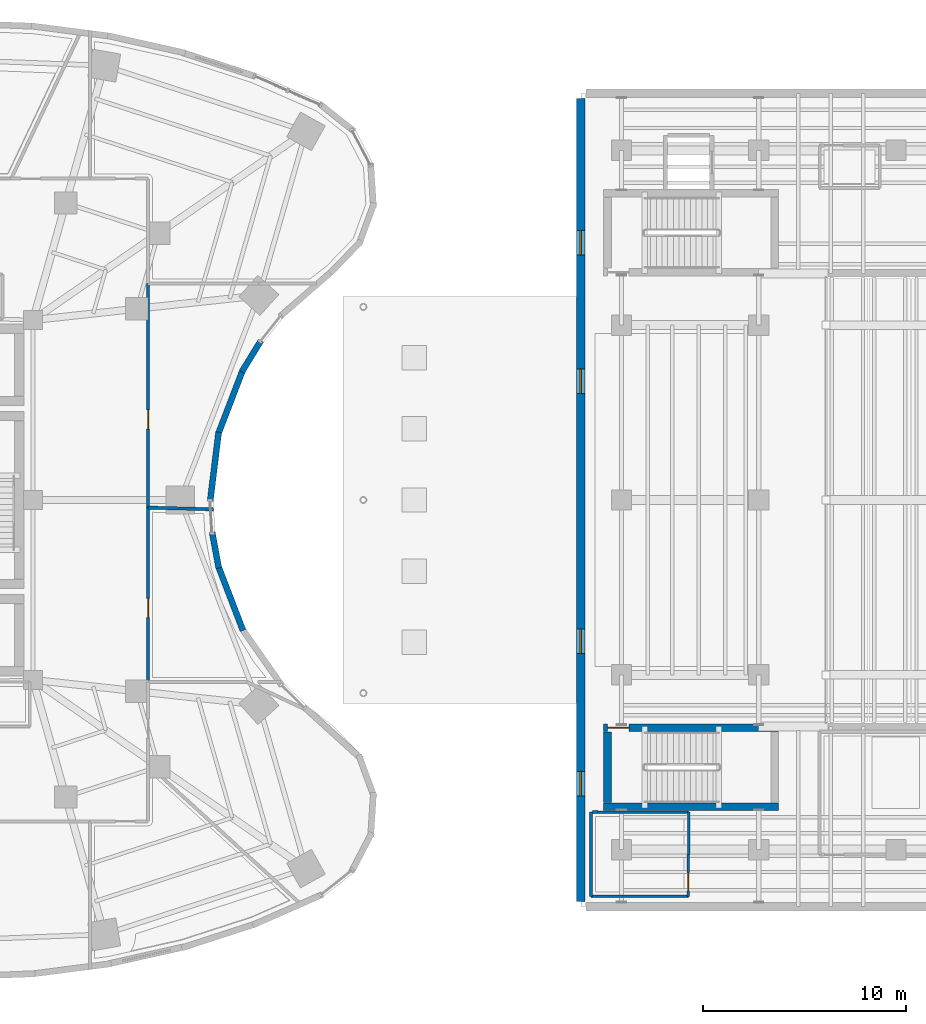
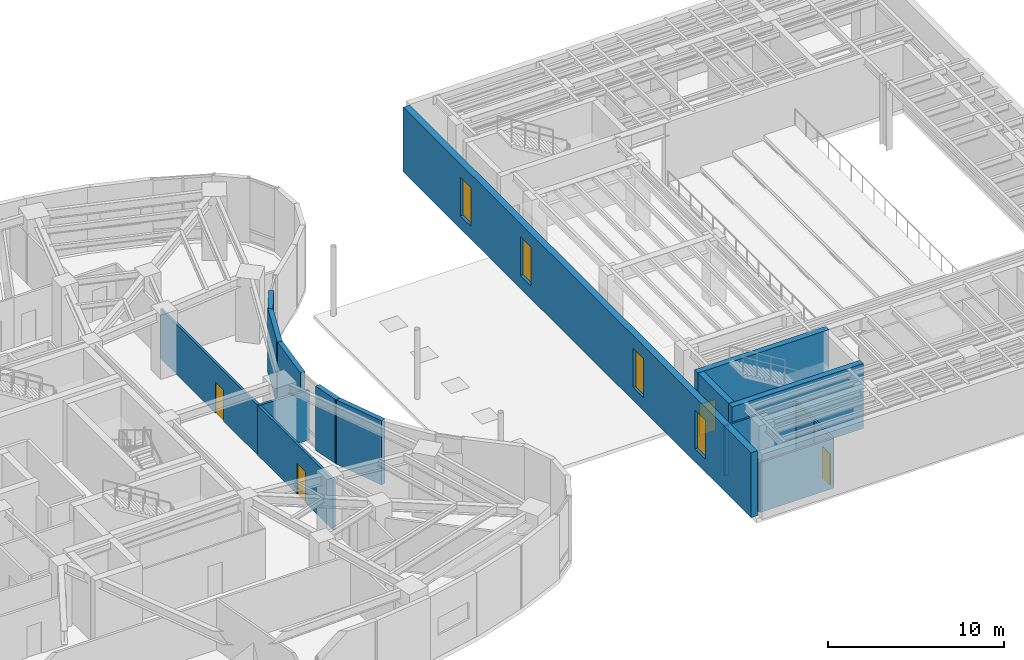
# One storey, part 17 of 24: 18 walls, 4 doors, 4 windows, 8 openings.
"""IFC4 building model written with IfcOpenShell, lengths in metres."""

import ifcopenshell
import ifcopenshell.guid

model = None  # the IFC model being written
_history = None  # IfcOwnerHistory: only IFC2X3 demands one
_inside = {}  # id of a spatial element -> (the spatial element, [elements in it])
_under = {}  # id of a project, library or spatial element -> (it, [spatial elements below it])
_declared = {}  # id of a project -> (the project, [libraries it declares])
_typed = {}  # id of a type object -> (the type object, [elements of that type])
_made_of = {}  # id of a material, layer set ... -> (it, [elements and type objects made of it])


def new_model(schema):
    """Start an empty IFC model of exactly this schema.

    Asked for "IFC4X3", IfcOpenShell would pick the latest addendum, in which some entities
    have other attributes; the version numbers below select the first issue.
    IFC2X3 requires an IfcOwnerHistory on every rooted entity: one is made here for all.
    """
    global model, _history
    if schema == "IFC4X3":
        model = ifcopenshell.file(schema_version=(4, 3, 0, 0))
    else:
        model = ifcopenshell.file(schema=schema)
    _inside.clear()
    _under.clear()
    _declared.clear()
    _typed.clear()
    _made_of.clear()
    _history = None
    if model.schema == "IFC2X3":
        org = make("IfcOrganization", Name="unknown")
        user = make(
            "IfcPersonAndOrganization",
            ThePerson=make("IfcPerson", FamilyName="unknown"),
            TheOrganization=org,
        )
        app = make(
            "IfcApplication",
            ApplicationDeveloper=org,
            Version="unknown",
            ApplicationFullName="unknown",
            ApplicationIdentifier="unknown",
        )
        _history = make(
            "IfcOwnerHistory",
            OwningUser=user,
            OwningApplication=app,
            ChangeAction="ADDED",
            CreationDate=0,
        )
    return model


def make(cls, **values):
    """One entity of the class cls with the attributes given. An attribute that is None is left unset."""
    return model.create_entity(
        cls, **{name: value for name, value in values.items() if value is not None}
    )


def rooted(cls, **values):
    """An entity with a GlobalId (a new one), such as an element, a storey or a relation."""
    return make(cls, GlobalId=ifcopenshell.guid.new(), OwnerHistory=_history, **values)


def si_unit(unit_type, name, prefix=None):
    """IfcSIUnit, for example si_unit("LENGTHUNIT", "METRE", prefix="MILLI")."""
    return make("IfcSIUnit", UnitType=unit_type, Prefix=prefix, Name=name)


def assignment(units):
    """IfcUnitAssignment: the units of a project."""
    return None if units is None else make("IfcUnitAssignment", Units=units)


def point(xyz):
    """IfcCartesianPoint."""
    return None if xyz is None else make("IfcCartesianPoint", Coordinates=xyz)


def direction(xyz):
    """IfcDirection."""
    return None if xyz is None else make("IfcDirection", DirectionRatios=xyz)


def frame(location, z_axis=None, x_axis=None):
    """IfcAxis2Placement3D, a coordinate frame: its origin and axes. An axis left out is left unset."""
    return make(
        "IfcAxis2Placement3D",
        Location=point(location),
        Axis=direction(z_axis),
        RefDirection=direction(x_axis),
    )


def frame_2d(location, x_axis=None):
    """IfcAxis2Placement2D, a coordinate frame in the plane: its origin and x axis."""
    return make(
        "IfcAxis2Placement2D", Location=point(location), RefDirection=direction(x_axis)
    )


def origin():
    """The frame at (0, 0, 0) with its axes left unset."""
    return frame((0.0, 0.0, 0.0))


def place(relative_to, where):
    """IfcLocalPlacement: puts the frame where relative to a parent placement (None: the world)."""
    return make(
        "IfcLocalPlacement", PlacementRelTo=relative_to, RelativePlacement=where
    )


def context(
    kind, dimensions, precision=None, world=None, true_north=None, identifier=None
):
    """IfcGeometricRepresentationContext, for example the 3D "Model" context."""
    return make(
        "IfcGeometricRepresentationContext",
        ContextIdentifier=identifier,
        ContextType=kind,
        CoordinateSpaceDimension=dimensions,
        Precision=precision,
        WorldCoordinateSystem=world,
        TrueNorth=true_north,
    )


def subcontext(parent, identifier, kind, view, scale=None):
    """IfcGeometricRepresentationSubContext, for example "Body" below "Model"."""
    return make(
        "IfcGeometricRepresentationSubContext",
        ContextIdentifier=identifier,
        ContextType=kind,
        ParentContext=parent,
        TargetScale=scale,
        TargetView=view,
    )


def project(units=None, contexts=None):
    """IfcProject with its units and contexts."""
    return rooted(
        "IfcProject",
        Name="project",
        RepresentationContexts=contexts,
        UnitsInContext=assignment(units),
    )


def spatial(cls, under=None, at=None, **own):
    """A site, building, storey or space (cls), placed at a placement, below another one or the project."""
    s = rooted(cls, ObjectPlacement=at, **own)
    if under is not None:
        _under.setdefault(under.id(), (under, []))[1].append(s)
    return s


def profile(cls, at=None, kind="AREA", **sizes):
    """A parametric profile (cls). Its sizes go by their IFC names, for example OverallWidth=200.0."""
    return make(cls, ProfileType=kind, Position=at, **sizes)


def rectangle(**sizes):
    """IfcRectangleProfileDef."""
    return profile("IfcRectangleProfileDef", **sizes)


def extrude(swept, where, along, depth):
    """IfcExtrudedAreaSolid: the profile swept, set in the frame where, extruded along a direction by depth."""
    return make(
        "IfcExtrudedAreaSolid",
        SweptArea=swept,
        Position=where,
        ExtrudedDirection=direction(along),
        Depth=depth,
    )


def shape(context_of_items, identifier, shape_type, items):
    """IfcShapeRepresentation: the items that make up one representation, for example the "Body"."""
    return make(
        "IfcShapeRepresentation",
        ContextOfItems=context_of_items,
        RepresentationIdentifier=identifier,
        RepresentationType=shape_type,
        Items=items,
    )


def material(Name=None, Category=None):
    """IfcMaterial."""
    return make("IfcMaterial", Name=Name, Category=Category)


def layer(
    of_material, thickness, ventilated=None, Name=None, Category=None, Priority=None
):
    """IfcMaterialLayer: one layer of a wall or slab, of a material (None: an air gap)."""
    return make(
        "IfcMaterialLayer",
        Material=of_material,
        LayerThickness=thickness,
        IsVentilated=ventilated,
        Name=Name,
        Category=Category,
        Priority=Priority,
    )


def layer_set(layers, Name=None):
    """IfcMaterialLayerSet."""
    return make("IfcMaterialLayerSet", MaterialLayers=layers, LayerSetName=Name)


def made_of(thing, what):
    """Note that an element or type object is made of a material, layer set ...; save() writes the relation."""
    if what is not None:
        _made_of.setdefault(what.id(), (what, []))[1].append(thing)
    return thing


def type_object(cls, material=None, **own):
    """A type object (cls), such as IfcWallType, which elements share."""
    return made_of(rooted(cls, **own), material)


def element(
    cls,
    number,
    at=None,
    inside=None,
    cuts=None,
    type_object=None,
    material=None,
    context=None,
    identifier="Body",
    shape_type=None,
    held_by="IfcProductDefinitionShape",
    body=None,
    shapes=None,
    **own,
):
    """One element of the class cls, such as IfcWall. Its Tag is "e" and its number.

    at: its placement. inside: the storey or other place that contains it. cuts: it is an
    opening in that element (IfcRelVoidsElement). A single representation is given by context,
    identifier, shape_type and body (its items); several are given by shapes. held_by: the class
    of the entity that holds the representations. save() writes the other relations.
    """
    e = rooted(cls, Tag="e%d" % number, ObjectPlacement=at, **own)
    if body is not None:
        shapes = [shape(context, identifier, shape_type, body)]
    if shapes is not None:
        e.Representation = make(held_by, Representations=shapes)
    if inside is not None:
        _inside.setdefault(inside.id(), (inside, []))[1].append(e)
    if cuts is not None:
        rooted(
            "IfcRelVoidsElement", RelatingBuildingElement=cuts, RelatedOpeningElement=e
        )
    if type_object is not None:
        _typed.setdefault(type_object.id(), (type_object, []))[1].append(e)
    return made_of(e, material)


def fill(opening, filler):
    """IfcRelFillsElement: the door or window that sits in an opening."""
    return rooted(
        "IfcRelFillsElement",
        RelatingOpeningElement=opening,
        RelatedBuildingElement=filler,
    )


def aggregate(whole, parts):
    """IfcRelAggregates: a whole, such as a stair, and the parts it consists of."""
    return rooted("IfcRelAggregates", RelatingObject=whole, RelatedObjects=parts)


def save(model, path):
    """Write the relations noted so far, then the file.

    IfcRelAggregates (storeys below a building ...), IfcRelContainedInSpatialStructure (elements
    in a storey), IfcRelDefinesByType, IfcRelAssociatesMaterial and IfcRelDeclares: one each for
    every whole, place, type object, material and project.
    """
    for whole, parts in _under.values():
        aggregate(whole, parts)
    for where, things in _inside.values():
        rooted(
            "IfcRelContainedInSpatialStructure",
            RelatedElements=things,
            RelatingStructure=where,
        )
    for kind, things in _typed.values():
        rooted("IfcRelDefinesByType", RelatedObjects=things, RelatingType=kind)
    for what, things in _made_of.values():
        rooted("IfcRelAssociatesMaterial", RelatedObjects=things, RelatingMaterial=what)
    for by, libraries in _declared.values():
        rooted("IfcRelDeclares", RelatingContext=by, RelatedDefinitions=libraries)
    model.write(path)


model = new_model("IFC4")

# Units and contexts
model_context = context("Model", 3, precision=1e-05, world=origin(), true_north=direction((0.0, 1.0)))
body_context = subcontext(model_context, "Body", "Model", "MODEL_VIEW")
ifc_project = project(units=[si_unit("LENGTHUNIT", "METRE"), si_unit("AREAUNIT", "SQUARE_METRE"), si_unit("VOLUMEUNIT", "CUBIC_METRE"), si_unit("PLANEANGLEUNIT", "RADIAN"), si_unit("MASSUNIT", "GRAM", prefix="KILO")], contexts=[model_context])

# Site, building, storey
site_placement = place(None, origin())
site = spatial("IfcSite", under=ifc_project, at=site_placement, CompositionType="ELEMENT")
building_placement = place(site_placement, origin())
building = spatial("IfcBuilding", under=site, at=building_placement, Name="Korentha Bioscience Tower", CompositionType="ELEMENT")
storey_placement = place(building_placement, frame((0.0, 0.0, 10.199951171875)))
storey = spatial("IfcBuildingStorey", under=building, at=storey_placement, Name="L02", CompositionType="ELEMENT", Elevation=10.199951171875)

# Wall, opening, door
ifc_material_1 = material(Name="Double-Stud Acoustic Gypsum", Category="gypsum")
ifc_layer_1 = layer(ifc_material_1, 0.14990234375, Name="Double-Stud Acoustic Gypsum")
ifc_layer_set_1 = layer_set([ifc_layer_1], Name="Double-Stud Acoustic Gypsum (IW-L150)")
wall_type_1 = type_object("IfcWallType", Name="Acoustic Laboratory Partition Wall 150", PredefinedType="PARTITIONING", material=ifc_layer_set_1)
wall_1_placement = place(storey_placement, frame((43.2099609375, 26.63525390625, 0.0), z_axis=(0.0, 0.0, 1.0), x_axis=(0.0, 1.0, 0.0)))
wall_1 = element("IfcWall", 1, at=wall_1_placement, inside=storey, type_object=wall_type_1, Name="L02 Translational Symposium Lecture Room 09 Entrance Wall", PredefinedType="PARTITIONING", context=body_context, shape_type="SweptSolid", body=[
    extrude(rectangle(XDim=11.0126953125, YDim=0.14990234375, at=frame_2d((5.50634765625, 0.0))), origin(), (0.0, 0.0, 1.0), 3.4599609375),
])
opening_1_placement = place(wall_1_placement, frame((3.850341796875, 0.0, 0.0)))
opening_1 = element("IfcOpeningElement", 2, at=opening_1_placement, cuts=wall_1, Name="Opening ID-10R", PredefinedType="OPENING", context=body_context, shape_type="SweptSolid", body=[
    extrude(rectangle(XDim=0.949951171875, YDim=2.14990234375, at=frame_2d((0.47509765625, 1.074951171875))), frame((0.0, 0.08984375, 0.0), z_axis=(0.0, -1.0, 0.0), x_axis=(1.0, 0.0, 0.0)), (0.0, 0.0, 1.0), 0.1796875),
])
ifc_material_2 = material(Name="Phenolic Laminate Timber Core", Category="wood")
door_type_1 = type_object("IfcDoorType", Name="Laboratory Single Leaf Door 950x2150 Right", OperationType="SINGLE_SWING_RIGHT", PredefinedType="DOOR", material=ifc_material_2)
door_1_placement = place(opening_1_placement, origin())
door_1 = element("IfcDoor", 3, at=door_1_placement, inside=storey, type_object=door_type_1, Name="L02 Translational Symposium Lecture Room 09 Door", OperationType="SINGLE_SWING_RIGHT", OverallHeight=2.14990234375, OverallWidth=0.949951171875, PredefinedType="DOOR", context=body_context, shape_type="SweptSolid", body=[
    extrude(rectangle(XDim=0.949951171875, YDim=2.14990234375, at=frame_2d((0.47509765625, 1.074951171875))), frame((0.0, 0.02490234375, 0.0), z_axis=(0.0, -1.0, 0.0), x_axis=(1.0, 0.0, 0.0)), (0.0, 0.0, 1.0), 0.050048828125),
])
fill(opening_1, door_1)

ifc_material_3 = material(Name="Gypsum-Clad Steel Stud", Category="steel")
ifc_layer_2 = layer(ifc_material_3, 0.159912109375, Name="Gypsum-Clad Steel Stud")
ifc_layer_set_2 = layer_set([ifc_layer_2], Name="Gypsum-Clad Steel Stud (IW-C160)")
wall_type_2 = type_object("IfcWallType", Name="Fire-Rated Corridor Partition Wall 160", PredefinedType="PARTITIONING", material=ifc_layer_set_2)
wall_2_placement = place(storey_placement, frame((43.2099609375, 18.05810546875, 0.0), z_axis=(0.0, 0.0, 1.0), x_axis=(0.0, 1.0, 0.0)))
wall_2 = element("IfcWall", 4, at=wall_2_placement, inside=storey, type_object=wall_type_2, Name="L02 Audio-Visual Equipment Store 08 Entrance Wall", PredefinedType="PARTITIONING", context=body_context, shape_type="SweptSolid", body=[
    extrude(rectangle(XDim=8.567138671875, YDim=0.159912109375, at=frame_2d((4.28369140625, 0.0))), origin(), (0.0, 0.0, 1.0), 3.4599609375),
])
opening_2_placement = place(wall_2_placement, frame((3.1494140625, 0.0, 0.0)))
opening_2 = element("IfcOpeningElement", 5, at=opening_2_placement, cuts=wall_2, Name="Opening ID-10L", PredefinedType="OPENING", context=body_context, shape_type="SweptSolid", body=[
    extrude(rectangle(XDim=0.949951171875, YDim=2.14990234375, at=frame_2d((0.47509765625, 1.074951171875))), frame((0.0, 0.0947265625, 0.0), z_axis=(0.0, -1.0, 0.0), x_axis=(1.0, 0.0, 0.0)), (0.0, 0.0, 1.0), 0.189697265625),
])
door_type_2 = type_object("IfcDoorType", Name="Laboratory Single Leaf Door 950x2150 Left", OperationType="SINGLE_SWING_LEFT", PredefinedType="DOOR", material=ifc_material_2)
door_2_placement = place(opening_2_placement, origin())
door_2 = element("IfcDoor", 6, at=door_2_placement, inside=storey, type_object=door_type_2, Name="L02 Audio-Visual Equipment Store 08 Door", OperationType="SINGLE_SWING_LEFT", OverallHeight=2.14990234375, OverallWidth=0.949951171875, PredefinedType="DOOR", context=body_context, shape_type="SweptSolid", body=[
    extrude(rectangle(XDim=0.949951171875, YDim=2.14990234375, at=frame_2d((0.47509765625, 1.074951171875))), frame((0.0, 0.02490234375, 0.0), z_axis=(0.0, -1.0, 0.0), x_axis=(1.0, 0.0, 0.0)), (0.0, 0.0, 1.0), 0.050048828125),
])
fill(opening_2, door_2)

# Walls
wall_3_placement = place(storey_placement, frame((43.2099609375, 26.625244140625, 0.0), z_axis=(0.0, 0.0, 1.0), x_axis=(0.999656490621, -0.026208791646, 0.0)))
element("IfcWall", 7, at=wall_3_placement, inside=storey, type_object=wall_type_2, Name="L02 Interior Partition 048", PredefinedType="PARTITIONING", context=body_context, shape_type="SweptSolid", body=[
    extrude(rectangle(XDim=3.2138671875, YDim=0.159912109375, at=frame_2d((1.60693359375, 0.0))), origin(), (0.0, 0.0, 1.0), 3.4599609375),
])
ifc_material_4 = material(Name="Honed Limestone Precast Concrete C40", Category="masonry")
ifc_layer_3 = layer(ifc_material_4, 0.300048828125, Name="Honed Limestone Precast Concrete C40")
ifc_layer_set_3 = layer_set([ifc_layer_3], Name="Honed Limestone Precast Concrete C40 (EW-ST300)")
wall_type_3 = type_object("IfcWallType", Name="Honed Limestone Cavity Spandrel Wall 300", PredefinedType="STANDARD", material=ifc_layer_set_3)
wall_4_placement = place(storey_placement, frame((47.8837890625, 20.577392578125, 0.0), z_axis=(0.0, 0.0, 1.0), x_axis=(-0.358344570513, 0.933589400531, 0.0)))
element("IfcWall", 8, at=wall_4_placement, inside=storey, type_object=wall_type_3, Name="L02 Limestone Perimeter Closure Wall 46", PredefinedType="STANDARD", context=body_context, shape_type="SweptSolid", body=[
    extrude(rectangle(XDim=3.4296875, YDim=0.300048828125, at=frame_2d((1.71484375, 0.0))), origin(), (0.0, 0.0, 1.0), 4.449951171875),
])
wall_5_placement = place(storey_placement, frame((46.691162109375, 23.650390625, 0.0), z_axis=(0.0, 0.0, 1.0), x_axis=(-0.182230271073, 0.983255881399, 0.0)))
element("IfcWall", 9, at=wall_5_placement, inside=storey, type_object=wall_type_3, Name="L02 Limestone Perimeter Closure Wall 48", PredefinedType="STANDARD", context=body_context, shape_type="SweptSolid", body=[
    extrude(rectangle(XDim=1.7978515625, YDim=0.300048828125, at=frame_2d((0.89892578125, 0.0))), origin(), (0.0, 0.0, 1.0), 4.449951171875),
])
for number, where, z_axis, x_axis, name in (
    (10, (46.26708984375, 26.937744140625, 0.0), (0.0, 0.0, 1.0), (0.121870386032, 0.992546023622, 0.0), "L02 Limestone Perimeter Closure Wall 50"),
    (11, (46.65478515625, 30.220703125, 0.0), (0.0, 0.0, 1.0), (0.358344570513, 0.933589400531, 0.0), "L02 Limestone Perimeter Closure Wall 52"),
):
    element("IfcWall", number, at=place(storey_placement, frame(where, z_axis=z_axis, x_axis=x_axis)), inside=storey, type_object=wall_type_3, Name=name, PredefinedType="STANDARD", context=body_context, shape_type="SweptSolid", body=[
        extrude(rectangle(XDim=3.4296875, YDim=0.300048828125, at=frame_2d((1.71484375, 0.0))), origin(), (0.0, 0.0, 1.0), 4.449951171875),
    ])
wall_6_placement = place(storey_placement, frame((47.82470703125, 33.302734375, 0.0), z_axis=(0.0, 0.0, 1.0), x_axis=(0.522520662875, 0.852626622191, 0.0)))
element("IfcWall", 12, at=wall_6_placement, inside=storey, type_object=wall_type_3, Name="L02 Limestone Perimeter Closure Wall 54", PredefinedType="STANDARD", context=body_context, shape_type="SweptSolid", body=[
    extrude(rectangle(XDim=1.7978515625, YDim=0.300048828125, at=frame_2d((0.89892578125, 0.0))), origin(), (0.0, 0.0, 1.0), 4.449951171875),
])

# Wall, openings, windows
ifc_material_5 = material(Name="Concrete C50", Category="concrete")
ifc_layer_4 = layer(ifc_material_5, 0.419921875, Name="Concrete C50")
ifc_layer_set_4 = layer_set([ifc_layer_4], Name="Concrete C50 (TW-E420)")
wall_type_4 = type_object("IfcWallType", Name="Theatre Acoustic Shear Wall 420", PredefinedType="SHEAR", material=ifc_layer_set_4)
wall_7_placement = place(storey_placement, frame((64.5, 7.25, 0.0), z_axis=(0.0, 0.0, 1.0), x_axis=(0.0, 1.0, 0.0)))
wall_7 = element("IfcWall", 13, at=wall_7_placement, inside=storey, type_object=wall_type_4, Name="L02 Theatre Acoustic Shear Wall W", PredefinedType="SHEAR", context=body_context, shape_type="SweptSolid", body=[
    extrude(rectangle(XDim=39.5, YDim=0.419921875, at=frame_2d((19.75, 0.0))), origin(), (0.0, 0.0, 1.0), 4.5),
])
opening_3_placement = place(wall_7_placement, frame((5.199951171875, 0.0, 0.89990234375)))
opening_3 = element("IfcOpeningElement", 14, at=opening_3_placement, cuts=wall_7, Name="Opening WN-03", PredefinedType="OPENING", context=body_context, shape_type="SweptSolid", body=[
    extrude(rectangle(XDim=1.199951171875, YDim=2.699951171875, at=frame_2d((0.60009765625, 1.35009765625))), frame((0.0, 0.224853515625, 0.0), z_axis=(0.0, -1.0, 0.0), x_axis=(1.0, 0.0, 0.0)), (0.0, 0.0, 1.0), 0.44970703125),
])
opening_4_placement = place(wall_7_placement, frame((12.199951171875, 0.0, 0.89990234375)))
opening_4 = element("IfcOpeningElement", 15, at=opening_4_placement, cuts=wall_7, Name="Opening WN-03", PredefinedType="OPENING", context=body_context, shape_type="SweptSolid", body=[
    extrude(rectangle(XDim=1.199951171875, YDim=2.699951171875, at=frame_2d((0.60009765625, 1.35009765625))), frame((0.0, 0.224853515625, 0.0), z_axis=(0.0, -1.0, 0.0), x_axis=(1.0, 0.0, 0.0)), (0.0, 0.0, 1.0), 0.44970703125),
])
opening_5_placement = place(wall_7_placement, frame((25.0, 0.0, 0.89990234375)))
opening_5 = element("IfcOpeningElement", 16, at=opening_5_placement, cuts=wall_7, Name="Opening WN-03", PredefinedType="OPENING", context=body_context, shape_type="SweptSolid", body=[
    extrude(rectangle(XDim=1.199951171875, YDim=2.699951171875, at=frame_2d((0.60009765625, 1.35009765625))), frame((0.0, 0.224853515625, 0.0), z_axis=(0.0, -1.0, 0.0), x_axis=(1.0, 0.0, 0.0)), (0.0, 0.0, 1.0), 0.44970703125),
])
opening_6_placement = place(wall_7_placement, frame((31.800048828125, 0.0, 0.89990234375)))
opening_6 = element("IfcOpeningElement", 17, at=opening_6_placement, cuts=wall_7, Name="Opening WN-03", PredefinedType="OPENING", context=body_context, shape_type="SweptSolid", body=[
    extrude(rectangle(XDim=1.199951171875, YDim=2.699951171875, at=frame_2d((0.60009765625, 1.35009765625))), frame((0.0, 0.224853515625, 0.0), z_axis=(0.0, -1.0, 0.0), x_axis=(1.0, 0.0, 0.0)), (0.0, 0.0, 1.0), 0.44970703125),
])
ifc_material_6 = material(Name="Thermally Broken Aluminium Triple Glazing", Category="aluminium")
window_type = type_object("IfcWindowType", Name="Theatre Foyer Tall Ribbon Window 1200x2700", PartitioningType="SINGLE_PANEL", PredefinedType="WINDOW", material=ifc_material_6)
window_1_placement = place(opening_3_placement, origin())
window_1 = element("IfcWindow", 18, at=window_1_placement, inside=storey, type_object=window_type, Name="L02 Theatre West Foyer Window 1", OverallHeight=2.699951171875, OverallWidth=1.199951171875, PartitioningType="SINGLE_PANEL", PredefinedType="WINDOW", context=body_context, shape_type="SweptSolid", body=[
    extrude(rectangle(XDim=1.199951171875, YDim=2.699951171875, at=frame_2d((0.60009765625, 1.35009765625))), frame((0.0, 0.030029296875, 0.0), z_axis=(0.0, -1.0, 0.0), x_axis=(1.0, 0.0, 0.0)), (0.0, 0.0, 1.0), 0.06005859375),
])
fill(opening_3, window_1)
window_2_placement = place(opening_4_placement, origin())
window_2 = element("IfcWindow", 19, at=window_2_placement, inside=storey, type_object=window_type, Name="L02 Theatre West Foyer Window 2", OverallHeight=2.699951171875, OverallWidth=1.199951171875, PartitioningType="SINGLE_PANEL", PredefinedType="WINDOW", context=body_context, shape_type="SweptSolid", body=[
    extrude(rectangle(XDim=1.199951171875, YDim=2.699951171875, at=frame_2d((0.60009765625, 1.35009765625))), frame((0.0, 0.030029296875, 0.0), z_axis=(0.0, -1.0, 0.0), x_axis=(1.0, 0.0, 0.0)), (0.0, 0.0, 1.0), 0.06005859375),
])
fill(opening_4, window_2)
window_3_placement = place(opening_5_placement, origin())
window_3 = element("IfcWindow", 20, at=window_3_placement, inside=storey, type_object=window_type, Name="L02 Theatre West Foyer Window 3", OverallHeight=2.699951171875, OverallWidth=1.199951171875, PartitioningType="SINGLE_PANEL", PredefinedType="WINDOW", context=body_context, shape_type="SweptSolid", body=[
    extrude(rectangle(XDim=1.199951171875, YDim=2.699951171875, at=frame_2d((0.60009765625, 1.35009765625))), frame((0.0, 0.030029296875, 0.0), z_axis=(0.0, -1.0, 0.0), x_axis=(1.0, 0.0, 0.0)), (0.0, 0.0, 1.0), 0.06005859375),
])
fill(opening_5, window_3)
window_4_placement = place(opening_6_placement, origin())
window_4 = element("IfcWindow", 21, at=window_4_placement, inside=storey, type_object=window_type, Name="L02 Theatre West Foyer Window 4", OverallHeight=2.699951171875, OverallWidth=1.199951171875, PartitioningType="SINGLE_PANEL", PredefinedType="WINDOW", context=body_context, shape_type="SweptSolid", body=[
    extrude(rectangle(XDim=1.199951171875, YDim=2.699951171875, at=frame_2d((0.60009765625, 1.35009765625))), frame((0.0, 0.030029296875, 0.0), z_axis=(0.0, -1.0, 0.0), x_axis=(1.0, 0.0, 0.0)), (0.0, 0.0, 1.0), 0.06005859375),
])
fill(opening_6, window_4)

# Wall
ifc_layer_5 = layer(ifc_material_5, 0.3798828125, Name="Concrete C50")
ifc_layer_set_5 = layer_set([ifc_layer_5], Name="Concrete C50 (TW-I380)")
wall_type_5 = type_object("IfcWallType", Name="Theatre Proscenium Shear Wall 380", PredefinedType="SHEAR", material=ifc_layer_set_5)
wall_8_placement = place(storey_placement, frame((65.6201171875, 11.909912109375, 0.0), z_axis=(0.0, 0.0, 1.0), x_axis=(1.0, 0.0, 0.0)))
element("IfcWall", 22, at=wall_8_placement, inside=storey, type_object=wall_type_5, Name="L02 Theatre Shear Wall STT1-S", PredefinedType="SHEAR", context=body_context, shape_type="SweptSolid", body=[
    extrude(rectangle(XDim=8.60986328125, YDim=0.3798828125, at=frame_2d((4.304931640625, 0.0))), origin(), (0.0, 0.0, 1.0), 4.5),
])

# Wall, opening, door
wall_9_placement = place(storey_placement, frame((65.6201171875, 15.7900390625, 0.0), z_axis=(0.0, 0.0, 1.0), x_axis=(1.0, 0.0, 0.0)))
wall_9 = element("IfcWall", 23, at=wall_9_placement, inside=storey, type_object=wall_type_5, Name="L02 Theatre Shear Wall STT1-N", PredefinedType="SHEAR", context=body_context, shape_type="SweptSolid", body=[
    extrude(rectangle(XDim=8.60986328125, YDim=0.3798828125, at=frame_2d((4.304931640625, 0.0))), origin(), (0.0, 0.0, 1.0), 4.5),
])
opening_7_placement = place(wall_9_placement, frame((0.199951171875, 0.0, 0.0)))
opening_7 = element("IfcOpeningElement", 24, at=opening_7_placement, cuts=wall_9, Name="Opening FD-90R", PredefinedType="OPENING", context=body_context, shape_type="SweptSolid", body=[
    extrude(rectangle(XDim=1.050048828125, YDim=2.14990234375, at=frame_2d((0.52490234375, 1.074951171875))), frame((0.0, 0.204833984375, 0.0), z_axis=(0.0, -1.0, 0.0), x_axis=(1.0, 0.0, 0.0)), (0.0, 0.0, 1.0), 0.40966796875),
])
ifc_material_7 = material(Name="Powder-Coated Fire-Rated Steel", Category="steel")
door_type_3 = type_object("IfcDoorType", Name="Stairwell Fire Exit Door 1050x2150 Right", OperationType="SINGLE_SWING_RIGHT", PredefinedType="DOOR", material=ifc_material_7)
door_3_placement = place(opening_7_placement, origin())
door_3 = element("IfcDoor", 25, at=door_3_placement, inside=storey, type_object=door_type_3, Name="L02 ST-T1 Fire Exit Stair Door", OperationType="SINGLE_SWING_RIGHT", OverallHeight=2.14990234375, OverallWidth=1.050048828125, PredefinedType="DOOR", context=body_context, shape_type="SweptSolid", body=[
    extrude(rectangle(XDim=1.050048828125, YDim=2.14990234375, at=frame_2d((0.52490234375, 1.074951171875))), frame((0.0, 0.02490234375, 0.0), z_axis=(0.0, -1.0, 0.0), x_axis=(1.0, 0.0, 0.0)), (0.0, 0.0, 1.0), 0.050048828125),
])
fill(opening_7, door_3)

# Wall
wall_10_placement = place(storey_placement, frame((65.81005859375, 12.110107421875, 0.0), z_axis=(0.0, 0.0, 1.0), x_axis=(0.0, 1.0, 0.0)))
element("IfcWall", 26, at=wall_10_placement, inside=storey, type_object=wall_type_5, Name="L02 Theatre Shear Wall STT1-W", PredefinedType="SHEAR", context=body_context, shape_type="SweptSolid", body=[
    extrude(rectangle(XDim=3.47998046875, YDim=0.3798828125, at=frame_2d((1.739990234375, 0.0))), origin(), (0.0, 0.0, 1.0), 4.5),
])

# Wall, opening, door
ifc_material_8 = material(Name="Cement-Board Steel Stud", Category="steel")
ifc_layer_6 = layer(ifc_material_8, 0.1298828125, Name="Cement-Board Steel Stud")
ifc_layer_set_6 = layer_set([ifc_layer_6], Name="Cement-Board Steel Stud (IW-W130)")
wall_type_6 = type_object("IfcWallType", Name="Wet-Area Moisture-Resistant Partition 130", PredefinedType="PARTITIONING", material=ifc_layer_set_6)
wall_11_placement = place(storey_placement, frame((69.7900390625, 9.550048828125, 0.0), z_axis=(0.0, 0.0, 1.0), x_axis=(0.0, -1.0, 0.0)))
wall_11 = element("IfcWall", 27, at=wall_11_placement, inside=storey, type_object=wall_type_6, Name="L02 L02 Theatre Public Restrooms Entrance Wall", PredefinedType="PARTITIONING", context=body_context, shape_type="SweptSolid", body=[
    extrude(rectangle(XDim=2.050048828125, YDim=0.1298828125, at=frame_2d((1.02490234375, 0.0))), origin(), (0.0, 0.0, 1.0), 3.4599609375),
])
opening_8_placement = place(wall_11_placement, frame((0.8798828125, 0.0, 0.0)))
opening_8 = element("IfcOpeningElement", 28, at=opening_8_placement, cuts=wall_11, Name="Opening ID-09L", PredefinedType="OPENING", context=body_context, shape_type="SweptSolid", body=[
    extrude(rectangle(XDim=0.89990234375, YDim=2.14990234375, at=frame_2d((0.449951171875, 1.074951171875))), frame((0.0, 0.079833984375, 0.0), z_axis=(0.0, -1.0, 0.0), x_axis=(1.0, 0.0, 0.0)), (0.0, 0.0, 1.0), 0.15966796875),
])
ifc_material_9 = material(Name="Moisture-Resistant HPL Leaf", Category="wood")
door_type_4 = type_object("IfcDoorType", Name="Restroom & Accessible WC Door 900x2150 Left", OperationType="SINGLE_SWING_LEFT", PredefinedType="DOOR", material=ifc_material_9)
door_4_placement = place(opening_8_placement, origin())
door_4 = element("IfcDoor", 29, at=door_4_placement, inside=storey, type_object=door_type_4, Name="L02 L02 Theatre Public Restrooms Door", OperationType="SINGLE_SWING_LEFT", OverallHeight=2.14990234375, OverallWidth=0.89990234375, PredefinedType="DOOR", context=body_context, shape_type="SweptSolid", body=[
    extrude(rectangle(XDim=0.89990234375, YDim=2.14990234375, at=frame_2d((0.449951171875, 1.074951171875))), frame((0.0, 0.02490234375, 0.0), z_axis=(0.0, -1.0, 0.0), x_axis=(1.0, 0.0, 0.0)), (0.0, 0.0, 1.0), 0.050048828125),
])
fill(opening_8, door_4)

# Walls
wall_12_placement = place(storey_placement, frame((65.0, 7.5, 0.0), z_axis=(0.0, 0.0, 1.0), x_axis=(0.0, 1.0, 0.0)))
element("IfcWall", 30, at=wall_12_placement, inside=storey, type_object=wall_type_6, Name="L02 Interior Partition 066", PredefinedType="PARTITIONING", context=body_context, shape_type="SweptSolid", body=[
    extrude(rectangle(XDim=4.14990234375, YDim=0.1298828125, at=frame_2d((2.074951171875, 0.0))), origin(), (0.0, 0.0, 1.0), 3.4599609375),
])
wall_13_placement = place(storey_placement, frame((65.068115234375, 11.64990234375, 0.0), z_axis=(0.0, 0.0, 1.0), x_axis=(1.0, 0.0, 0.0)))
element("IfcWall", 31, at=wall_13_placement, inside=storey, type_object=wall_type_6, Name="L02 Interior Partition 067", PredefinedType="PARTITIONING", context=body_context, shape_type="SweptSolid", body=[
    extrude(rectangle(XDim=0.27197265625, YDim=0.1298828125, at=frame_2d((0.135986328125, 0.0))), origin(), (0.0, 0.0, 1.0), 3.4599609375),
])
wall_14_placement = place(storey_placement, frame((65.35009765625, 11.639892578125, 0.0), z_axis=(0.0, 0.0, 1.0), x_axis=(1.0, 0.0, 0.0)))
element("IfcWall", 32, at=wall_14_placement, inside=storey, type_object=wall_type_6, Name="L02 Interior Partition 068", PredefinedType="PARTITIONING", context=body_context, shape_type="SweptSolid", body=[
    extrude(rectangle(XDim=4.449951171875, YDim=0.1298828125, at=frame_2d((2.22509765625, 0.0))), origin(), (0.0, 0.0, 1.0), 3.4599609375),
])
wall_15_placement = place(storey_placement, frame((69.800048828125, 11.639892578125, 0.0), z_axis=(0.0, 0.0, 1.0), x_axis=(0.0, -1.0, 0.0)))
element("IfcWall", 33, at=wall_15_placement, inside=storey, type_object=wall_type_6, Name="L02 Interior Partition 069", PredefinedType="PARTITIONING", context=body_context, shape_type="SweptSolid", body=[
    extrude(rectangle(XDim=2.079833984375, YDim=0.1298828125, at=frame_2d((1.0400390625, 0.0))), origin(), (0.0, 0.0, 1.0), 3.4599609375),
])
wall_16_placement = place(storey_placement, frame((69.7900390625, 7.5, 0.0), z_axis=(0.0, 0.0, 1.0), x_axis=(-1.0, 0.0, 0.0)))
element("IfcWall", 34, at=wall_16_placement, inside=storey, type_object=wall_type_6, Name="L02 Interior Partition 070", PredefinedType="PARTITIONING", context=body_context, shape_type="SweptSolid", body=[
    extrude(rectangle(XDim=4.7900390625, YDim=0.1298828125, at=frame_2d((2.39501953125, 0.0))), origin(), (0.0, 0.0, 1.0), 3.4599609375),
])

save(model, "model.ifc")
